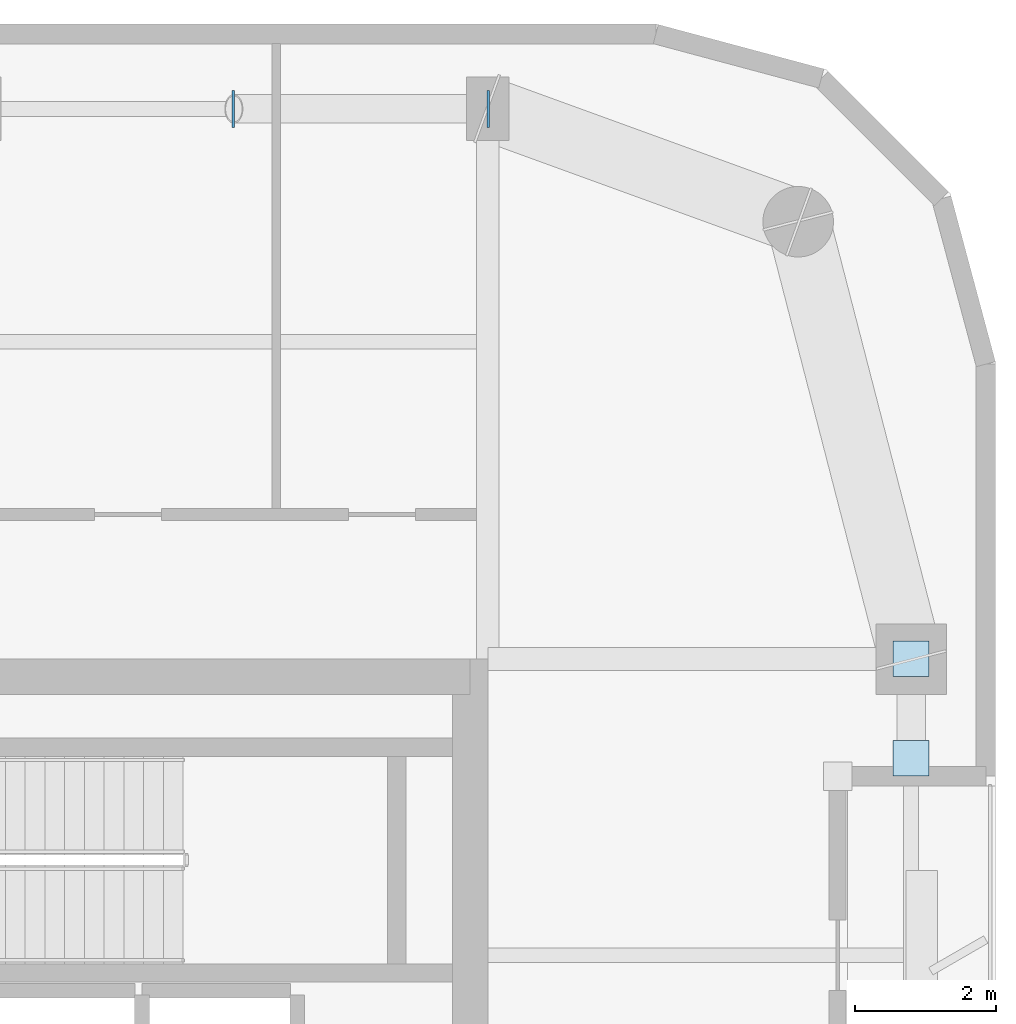
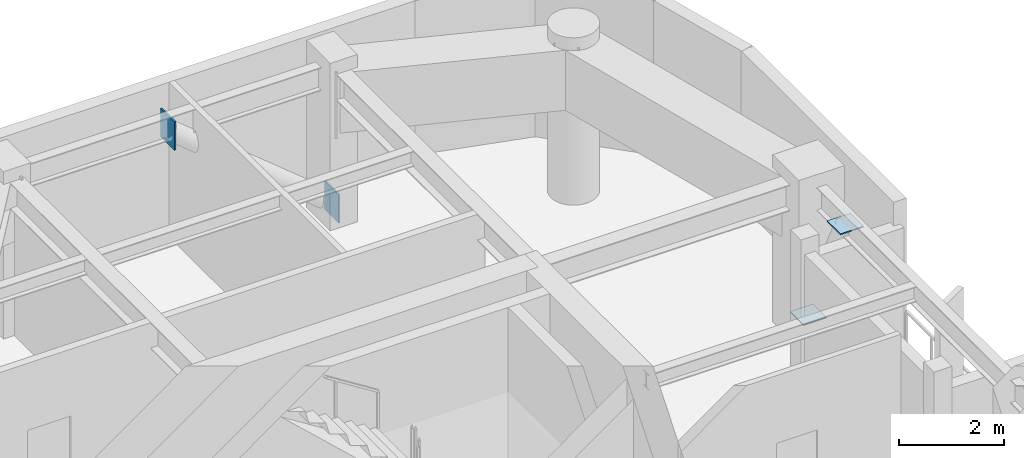
# One storey, part 9 of 15: 4 plates.
"""IFC4 building model written with IfcOpenShell, lengths in metres."""

from ifc_helpers import new_model, si_unit, direction, frame, origin, origin_2d, place, context, subcontext, project, spatial, rectangle, extrude, material, layer, layer_set, type_object, element, save


model = new_model("IFC4")

# Units and contexts
model_context = context("Model", 3, precision=1e-05, world=origin(), true_north=direction((0.0, 1.0)))
body_context = subcontext(model_context, "Body", "Model", "MODEL_VIEW")
ifc_project = project(units=[si_unit("LENGTHUNIT", "METRE"), si_unit("AREAUNIT", "SQUARE_METRE"), si_unit("VOLUMEUNIT", "CUBIC_METRE"), si_unit("PLANEANGLEUNIT", "RADIAN"), si_unit("MASSUNIT", "GRAM", prefix="KILO")], contexts=[model_context])

# Site, building, storey
site_placement = place(None, origin())
site = spatial("IfcSite", under=ifc_project, at=site_placement, CompositionType="ELEMENT")
building_placement = place(site_placement, origin())
building = spatial("IfcBuilding", under=site, at=building_placement, Name="Kiyonajd Concourse Tower", CompositionType="ELEMENT")
storey_placement = place(building_placement, frame((0.0, 0.0, 278.39990234375)))
storey = spatial("IfcBuildingStorey", under=building, at=storey_placement, Name="L70", CompositionType="ELEMENT", Elevation=278.39990234375)

# Plates
ifc_material = material(Name="Steel ASTM A572 Grade 50", Category="steel")
ifc_layer = layer(ifc_material, 0.028076171875)
ifc_layer_set = layer_set([ifc_layer], Name="Steel ASTM A572 Grade 50")
plate_type = type_object("IfcPlateType", Name="PL-CAP-450", PredefinedType="USERDEFINED", material=ifc_layer_set)
for number, where, z_axis, x_axis, name in (
    (1, (63.6083984375, 52.199951171875, -0.039306640625), (0.0, 0.0, 1.0), (1.0, 0.0, 0.0), "L70 Hollow Brace End Cap Plate PBN"),
    (2, (59.991455078125, 52.199951171875, 2.924560546875), (0.0, 0.0, 1.0), (-1.0, 0.0, 0.0), "L70 Hollow Brace Top Cap Plate PBN"),
):
    element("IfcPlate", number, at=place(storey_placement, frame(where, z_axis=z_axis, x_axis=x_axis)), inside=storey, type_object=plate_type, Name=name, ObjectType="CAP PLATE", PredefinedType="USERDEFINED", context=body_context, shape_type="SweptSolid", body=[
        extrude(rectangle(XDim=0.035888671875, YDim=0.52587890625, at=origin_2d()), origin(), (0.0, 0.0, 1.0), 0.6650390625),
    ])
for number, where, z_axis, x_axis, name in (
    (3, (69.60009765625, 44.40478515625, 0.2763671875), (0.0, 0.0, 1.0), (1.0, 0.0, 0.0), "L70 Hollow Brace End Cap Plate PBE"),
    (4, (69.60009765625, 42.995361328125, 3.24609375), (0.0, 0.0, 1.0), (1.0, 0.0, 0.0), "L70 Hollow Brace Top Cap Plate PBE"),
):
    element("IfcPlate", number, at=place(storey_placement, frame(where, z_axis=z_axis, x_axis=x_axis)), inside=storey, type_object=plate_type, Name=name, ObjectType="CAP PLATE", PredefinedType="USERDEFINED", context=body_context, shape_type="SweptSolid", body=[
        extrude(rectangle(XDim=0.506103515625, YDim=0.506103515625, at=origin_2d()), origin(), (0.0, 0.0, 1.0), 0.028076171875),
    ])

save(model, "model.ifc")
